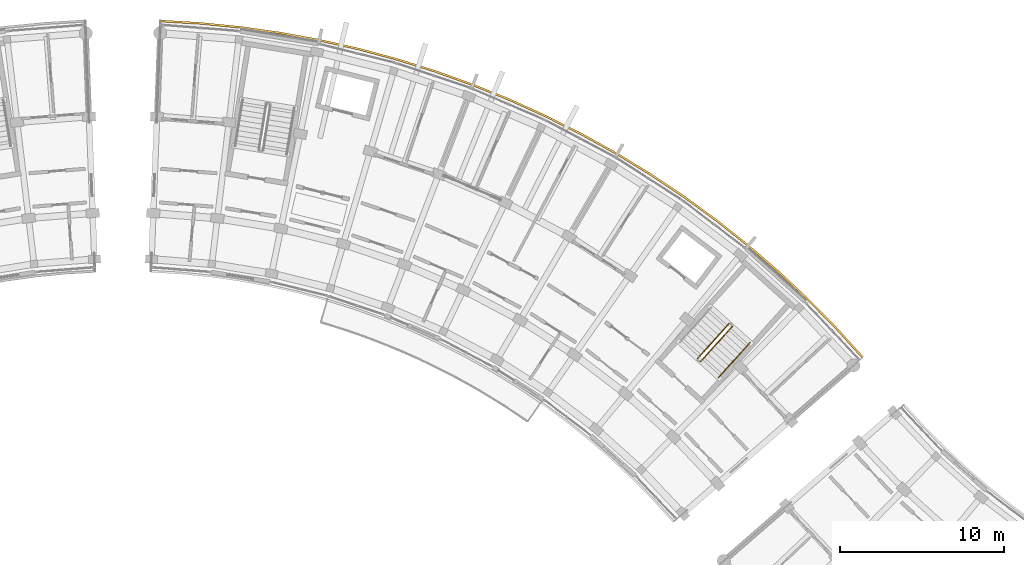
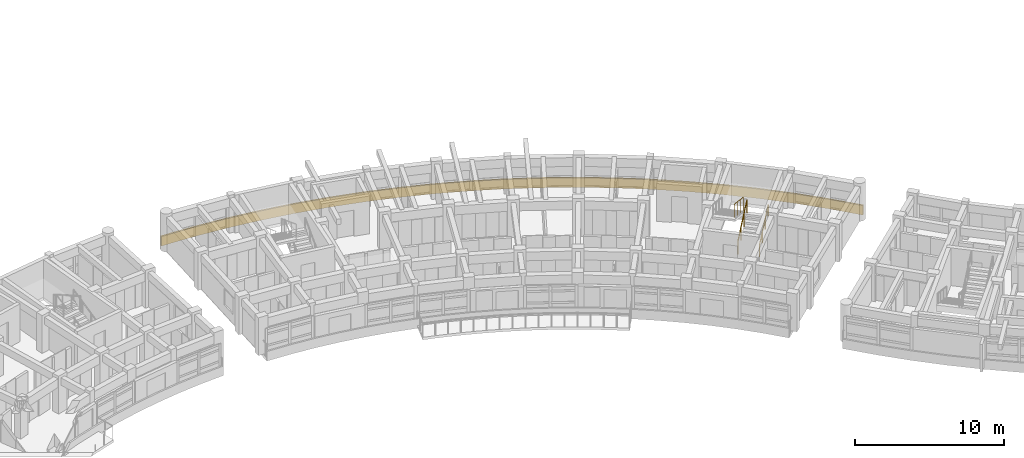
# One storey, part 52 of 56: 4 railings.
"""IFC4 building model written with IfcOpenShell, lengths in metres."""

import ifcopenshell
import ifcopenshell.guid

model = None  # the IFC model being written
_history = None  # IfcOwnerHistory: only IFC2X3 demands one
_inside = {}  # id of a spatial element -> (the spatial element, [elements in it])
_under = {}  # id of a project, library or spatial element -> (it, [spatial elements below it])
_declared = {}  # id of a project -> (the project, [libraries it declares])
_typed = {}  # id of a type object -> (the type object, [elements of that type])
_made_of = {}  # id of a material, layer set ... -> (it, [elements and type objects made of it])


def new_model(schema):
    """Start an empty IFC model of exactly this schema.

    Asked for "IFC4X3", IfcOpenShell would pick the latest addendum, in which some entities
    have other attributes; the version numbers below select the first issue.
    IFC2X3 requires an IfcOwnerHistory on every rooted entity: one is made here for all.
    """
    global model, _history
    if schema == "IFC4X3":
        model = ifcopenshell.file(schema_version=(4, 3, 0, 0))
    else:
        model = ifcopenshell.file(schema=schema)
    _inside.clear()
    _under.clear()
    _declared.clear()
    _typed.clear()
    _made_of.clear()
    _history = None
    if model.schema == "IFC2X3":
        org = make("IfcOrganization", Name="unknown")
        user = make(
            "IfcPersonAndOrganization",
            ThePerson=make("IfcPerson", FamilyName="unknown"),
            TheOrganization=org,
        )
        app = make(
            "IfcApplication",
            ApplicationDeveloper=org,
            Version="unknown",
            ApplicationFullName="unknown",
            ApplicationIdentifier="unknown",
        )
        _history = make(
            "IfcOwnerHistory",
            OwningUser=user,
            OwningApplication=app,
            ChangeAction="ADDED",
            CreationDate=0,
        )
    return model


def make(cls, **values):
    """One entity of the class cls with the attributes given. An attribute that is None is left unset."""
    return model.create_entity(
        cls, **{name: value for name, value in values.items() if value is not None}
    )


def rooted(cls, **values):
    """An entity with a GlobalId (a new one), such as an element, a storey or a relation."""
    return make(cls, GlobalId=ifcopenshell.guid.new(), OwnerHistory=_history, **values)


def si_unit(unit_type, name, prefix=None):
    """IfcSIUnit, for example si_unit("LENGTHUNIT", "METRE", prefix="MILLI")."""
    return make("IfcSIUnit", UnitType=unit_type, Prefix=prefix, Name=name)


def assignment(units):
    """IfcUnitAssignment: the units of a project."""
    return None if units is None else make("IfcUnitAssignment", Units=units)


def point(xyz):
    """IfcCartesianPoint."""
    return None if xyz is None else make("IfcCartesianPoint", Coordinates=xyz)


def direction(xyz):
    """IfcDirection."""
    return None if xyz is None else make("IfcDirection", DirectionRatios=xyz)


def frame(location, z_axis=None, x_axis=None):
    """IfcAxis2Placement3D, a coordinate frame: its origin and axes. An axis left out is left unset."""
    return make(
        "IfcAxis2Placement3D",
        Location=point(location),
        Axis=direction(z_axis),
        RefDirection=direction(x_axis),
    )


def frame_2d(location, x_axis=None):
    """IfcAxis2Placement2D, a coordinate frame in the plane: its origin and x axis."""
    return make(
        "IfcAxis2Placement2D", Location=point(location), RefDirection=direction(x_axis)
    )


def origin():
    """The frame at (0, 0, 0) with its axes left unset."""
    return frame((0.0, 0.0, 0.0))


def origin_2d():
    """The frame at (0, 0) in the plane with its x axis left unset."""
    return frame_2d((0.0, 0.0))


def place(relative_to, where):
    """IfcLocalPlacement: puts the frame where relative to a parent placement (None: the world)."""
    return make(
        "IfcLocalPlacement", PlacementRelTo=relative_to, RelativePlacement=where
    )


def context(
    kind, dimensions, precision=None, world=None, true_north=None, identifier=None
):
    """IfcGeometricRepresentationContext, for example the 3D "Model" context."""
    return make(
        "IfcGeometricRepresentationContext",
        ContextIdentifier=identifier,
        ContextType=kind,
        CoordinateSpaceDimension=dimensions,
        Precision=precision,
        WorldCoordinateSystem=world,
        TrueNorth=true_north,
    )


def subcontext(parent, identifier, kind, view, scale=None):
    """IfcGeometricRepresentationSubContext, for example "Body" below "Model"."""
    return make(
        "IfcGeometricRepresentationSubContext",
        ContextIdentifier=identifier,
        ContextType=kind,
        ParentContext=parent,
        TargetScale=scale,
        TargetView=view,
    )


def project(units=None, contexts=None):
    """IfcProject with its units and contexts."""
    return rooted(
        "IfcProject",
        Name="project",
        RepresentationContexts=contexts,
        UnitsInContext=assignment(units),
    )


def spatial(cls, under=None, at=None, **own):
    """A site, building, storey or space (cls), placed at a placement, below another one or the project."""
    s = rooted(cls, ObjectPlacement=at, **own)
    if under is not None:
        _under.setdefault(under.id(), (under, []))[1].append(s)
    return s


def polyline(points):
    """IfcPolyline through the points."""
    return make("IfcPolyline", Points=[point(p) for p in points])


def profile(cls, at=None, kind="AREA", **sizes):
    """A parametric profile (cls). Its sizes go by their IFC names, for example OverallWidth=200.0."""
    return make(cls, ProfileType=kind, Position=at, **sizes)


def circle(**sizes):
    """IfcCircleProfileDef."""
    return profile("IfcCircleProfileDef", **sizes)


def outline(outer, holes=None, kind="AREA"):
    """IfcArbitraryClosedProfileDef: a profile drawn as a closed curve; with holes, ...WithVoids."""
    if holes is None:
        return make("IfcArbitraryClosedProfileDef", ProfileType=kind, OuterCurve=outer)
    return make(
        "IfcArbitraryProfileDefWithVoids",
        ProfileType=kind,
        OuterCurve=outer,
        InnerCurves=holes,
    )


def extrude(swept, where, along, depth):
    """IfcExtrudedAreaSolid: the profile swept, set in the frame where, extruded along a direction by depth."""
    return make(
        "IfcExtrudedAreaSolid",
        SweptArea=swept,
        Position=where,
        ExtrudedDirection=direction(along),
        Depth=depth,
    )


def shape(context_of_items, identifier, shape_type, items):
    """IfcShapeRepresentation: the items that make up one representation, for example the "Body"."""
    return make(
        "IfcShapeRepresentation",
        ContextOfItems=context_of_items,
        RepresentationIdentifier=identifier,
        RepresentationType=shape_type,
        Items=items,
    )


def material(Name=None, Category=None):
    """IfcMaterial."""
    return make("IfcMaterial", Name=Name, Category=Category)


def made_of(thing, what):
    """Note that an element or type object is made of a material, layer set ...; save() writes the relation."""
    if what is not None:
        _made_of.setdefault(what.id(), (what, []))[1].append(thing)
    return thing


def type_object(cls, material=None, **own):
    """A type object (cls), such as IfcWallType, which elements share."""
    return made_of(rooted(cls, **own), material)


def element(
    cls,
    number,
    at=None,
    inside=None,
    cuts=None,
    type_object=None,
    material=None,
    context=None,
    identifier="Body",
    shape_type=None,
    held_by="IfcProductDefinitionShape",
    body=None,
    shapes=None,
    **own,
):
    """One element of the class cls, such as IfcWall. Its Tag is "e" and its number.

    at: its placement. inside: the storey or other place that contains it. cuts: it is an
    opening in that element (IfcRelVoidsElement). A single representation is given by context,
    identifier, shape_type and body (its items); several are given by shapes. held_by: the class
    of the entity that holds the representations. save() writes the other relations.
    """
    e = rooted(cls, Tag="e%d" % number, ObjectPlacement=at, **own)
    if body is not None:
        shapes = [shape(context, identifier, shape_type, body)]
    if shapes is not None:
        e.Representation = make(held_by, Representations=shapes)
    if inside is not None:
        _inside.setdefault(inside.id(), (inside, []))[1].append(e)
    if cuts is not None:
        rooted(
            "IfcRelVoidsElement", RelatingBuildingElement=cuts, RelatedOpeningElement=e
        )
    if type_object is not None:
        _typed.setdefault(type_object.id(), (type_object, []))[1].append(e)
    return made_of(e, material)


def aggregate(whole, parts):
    """IfcRelAggregates: a whole, such as a stair, and the parts it consists of."""
    return rooted("IfcRelAggregates", RelatingObject=whole, RelatedObjects=parts)


def save(model, path):
    """Write the relations noted so far, then the file.

    IfcRelAggregates (storeys below a building ...), IfcRelContainedInSpatialStructure (elements
    in a storey), IfcRelDefinesByType, IfcRelAssociatesMaterial and IfcRelDeclares: one each for
    every whole, place, type object, material and project.
    """
    for whole, parts in _under.values():
        aggregate(whole, parts)
    for where, things in _inside.values():
        rooted(
            "IfcRelContainedInSpatialStructure",
            RelatedElements=things,
            RelatingStructure=where,
        )
    for kind, things in _typed.values():
        rooted("IfcRelDefinesByType", RelatedObjects=things, RelatingType=kind)
    for what, things in _made_of.values():
        rooted("IfcRelAssociatesMaterial", RelatedObjects=things, RelatingMaterial=what)
    for by, libraries in _declared.values():
        rooted("IfcRelDeclares", RelatingContext=by, RelatedDefinitions=libraries)
    model.write(path)


model = new_model("IFC4")

# Units and contexts
model_context = context("Model", 3, precision=1e-05, world=origin(), true_north=direction((0.0, 1.0)))
body_context = subcontext(model_context, "Body", "Model", "MODEL_VIEW")
ifc_project = project(units=[si_unit("LENGTHUNIT", "METRE"), si_unit("AREAUNIT", "SQUARE_METRE"), si_unit("VOLUMEUNIT", "CUBIC_METRE"), si_unit("PLANEANGLEUNIT", "RADIAN"), si_unit("MASSUNIT", "GRAM", prefix="KILO")], contexts=[model_context])

# Site, building, storey
site_placement = place(None, origin())
site = spatial("IfcSite", under=ifc_project, at=site_placement, CompositionType="ELEMENT")
building_placement = place(site_placement, origin())
building = spatial("IfcBuilding", under=site, at=building_placement, Name="Zimvara Arc Housing Community", CompositionType="ELEMENT")
storey_placement = place(building_placement, frame((0.0, 0.0, 17.39990234375)))
storey = spatial("IfcBuildingStorey", under=building, at=storey_placement, Name="L05", CompositionType="ELEMENT", Elevation=17.39990234375)

# Railings
ifc_material_1 = material(Name="Anodised Aluminium AW-6063", Category="aluminium")
railing_type_1 = type_object("IfcRailingType", Name="RLG-BAL-1120", PredefinedType="BALUSTRADE", material=ifc_material_1)
railing_1_placement = place(storey_placement, frame((80.1455078125, 83.365966796875, 0.155029296875)))
element("IfcRailing", 1, at=railing_1_placement, inside=storey, type_object=railing_type_1, Name="L05 ST-B2 stair guard 1", PredefinedType="BALUSTRADE", context=body_context, shape_type="SweptSolid", body=[
    extrude(circle(Radius=0.02392578125, at=origin_2d()), frame((0.0, 0.0, 1.09619140625), z_axis=(0.601231728384, 0.668248248038, 0.438137749775), x_axis=(-0.743400174344, 0.668846903847, 0.0)), (0.0, 0.0, 1.0), 3.18408203125),
    extrude(circle(Radius=0.02099609375, at=origin_2d()), origin(), (0.0, 0.0, 1.0), 1.072021484375),
    extrude(circle(Radius=0.02099609375, at=origin_2d()), frame((0.63818359375, 0.709228515625, 0.465087890625)), (0.0, 0.0, 1.0), 1.072021484375),
    extrude(circle(Radius=0.02099609375, at=origin_2d()), frame((1.276123046875, 1.41845703125, 0.929931640625)), (0.0, 0.0, 1.0), 1.072021484375),
    extrude(circle(Radius=0.02099609375, at=origin_2d()), frame((1.914306640625, 2.127685546875, 1.39501953125)), (0.0, 0.0, 1.0), 1.072021484375),
])
railing_2_placement = place(storey_placement, frame((81.866455078125, 85.66748046875, 1.705078125)))
element("IfcRailing", 2, at=railing_2_placement, inside=storey, type_object=railing_type_1, Name="L05 ST-B2 stair guard 3", PredefinedType="BALUSTRADE", context=body_context, shape_type="SweptSolid", body=[
    extrude(circle(Radius=0.02392578125, at=origin_2d()), frame((0.0, 0.0, 1.09619140625), z_axis=(-0.601262536038, -0.668205807809, 0.438160200347), x_axis=(0.743362010683, -0.668889319, 0.0)), (0.0, 0.0, 1.0), 3.183837890625),
    extrude(circle(Radius=0.02099609375, at=origin_2d()), origin(), (0.0, 0.0, 1.0), 1.072021484375),
    extrude(circle(Radius=0.02099609375, at=origin_2d()), frame((-0.63818359375, -0.709228515625, 0.465087890625)), (0.0, 0.0, 1.0), 1.072021484375),
    extrude(circle(Radius=0.02099609375, at=origin_2d()), frame((-1.276123046875, -1.418212890625, 0.929931640625)), (0.0, 0.0, 1.0), 1.072021484375),
    extrude(circle(Radius=0.02099609375, at=origin_2d()), frame((-1.914306640625, -2.12744140625, 1.39501953125)), (0.0, 0.0, 1.0), 1.072021484375),
])
ifc_material_2 = material(Name="Pale-Gold Anodised Aluminium AW-6063", Category="aluminium")
railing_type_2 = type_object("IfcRailingType", Name="RLG-FAS-780", PredefinedType="BALUSTRADE", material=ifc_material_2)
railing_3_placement = place(storey_placement, frame((0.0, 0.0, -0.219970703125)))
element("IfcRailing", 3, at=railing_3_placement, inside=storey, type_object=railing_type_2, Name="rlg:blkB:L05:gold_out", PredefinedType="BALUSTRADE", context=body_context, shape_type="SweptSolid", body=[
    extrude(outline(polyline([(47.286376953125, 104.01611328125), (49.71435546875, 103.873046875), (52.134765625, 103.631103515625), (54.54296875, 103.29052734375), (56.935546875, 102.851806640625), (59.307861328125, 102.31591796875), (61.65673828125, 101.68359375), (63.9775390625, 100.955810546875), (66.266845703125, 100.1337890625), (68.5205078125, 99.218994140625), (70.735107421875, 98.213134765625), (72.90673828125, 97.11767578125), (75.03173828125, 95.934326171875), (77.106689453125, 94.665283203125), (79.128173828125, 93.3125), (81.0927734375, 91.87841796875), (82.9970703125, 90.365234375), (84.837890625, 88.775634765625), (86.612548828125, 87.112060546875), (88.317626953125, 85.377685546875), (89.950439453125, 83.574951171875), (90.041015625, 83.653564453125), (88.40478515625, 85.4599609375), (86.6962890625, 87.197998046875), (84.918212890625, 88.86474609375), (83.073486328125, 90.457763671875), (81.165283203125, 91.973876953125), (79.197021484375, 93.410888671875), (77.17138671875, 94.766357421875), (75.09228515625, 96.037841796875), (72.962890625, 97.2236328125), (70.786865234375, 98.3212890625), (68.56787109375, 99.329345703125), (66.3095703125, 100.245849609375), (64.015625, 101.069580078125), (61.690185546875, 101.798583984375), (59.3369140625, 102.432373046875), (56.95947265625, 102.969482421875), (54.562255859375, 103.408935546875), (52.149169921875, 103.750244140625), (49.723876953125, 103.99267578125), (47.291015625, 104.135986328125), (47.286376953125, 104.01611328125)])), origin(), (0.0, 0.0, 1.0), 0.780029296875),
])
ifc_material_3 = material(Name="Anodised Aluminium AW-6063", Category="aluminium")
railing_type_3 = type_object("IfcRailingType", Name="RLG-HND-900", PredefinedType="HANDRAIL", material=ifc_material_3)
railing_4_placement = place(storey_placement, frame((81.230712890625, 82.389404296875, 0.155029296875)))
element("IfcRailing", 4, at=railing_4_placement, inside=storey, type_object=railing_type_3, Name="L05 ST-B2 stair handrail 1", PredefinedType="HANDRAIL", context=body_context, shape_type="SweptSolid", body=[
    extrude(circle(Radius=0.02392578125, at=origin_2d()), frame((0.0, 0.0, 0.8759765625), z_axis=(0.601231728384, 0.668248248038, 0.438137749775), x_axis=(-0.743400174344, 0.668846903847, 0.0)), (0.0, 0.0, 1.0), 3.18408203125),
    extrude(circle(Radius=0.02099609375, at=origin_2d()), origin(), (0.0, 0.0, 1.0), 0.851806640625),
    extrude(circle(Radius=0.02099609375, at=origin_2d()), frame((0.63818359375, 0.709228515625, 0.465087890625)), (0.0, 0.0, 1.0), 0.851806640625),
    extrude(circle(Radius=0.02099609375, at=origin_2d()), frame((1.276123046875, 1.41845703125, 0.929931640625)), (0.0, 0.0, 1.0), 0.851806640625),
    extrude(circle(Radius=0.02099609375, at=origin_2d()), frame((1.914306640625, 2.127685546875, 1.39501953125)), (0.0, 0.0, 1.0), 0.851806640625),
])

save(model, "model.ifc")
